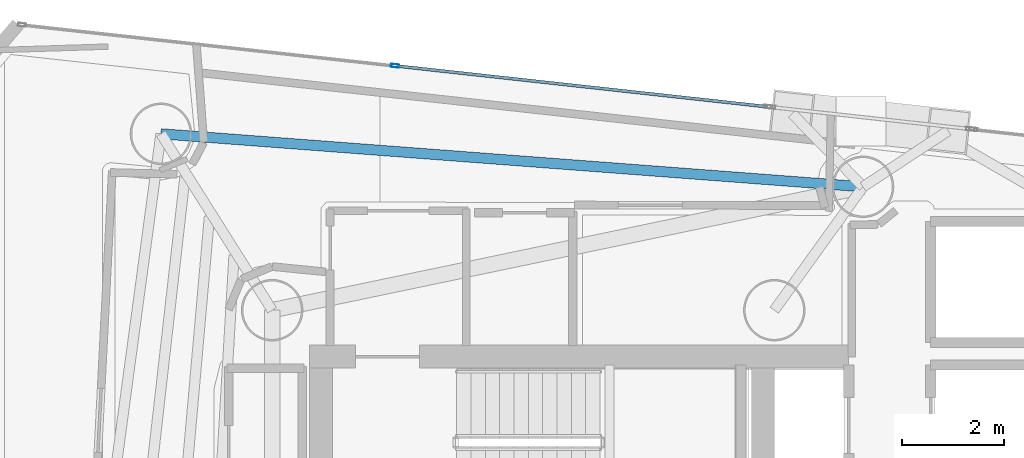
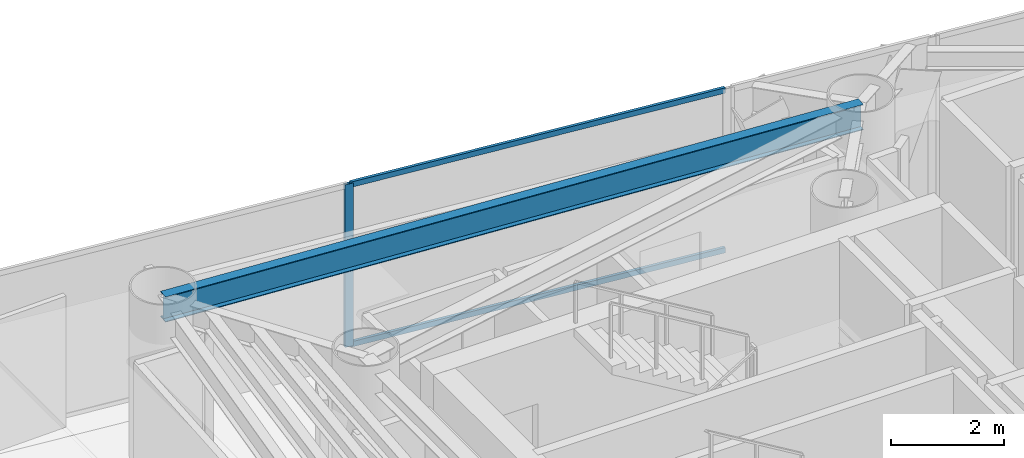
# One storey, part 12 of 24: 3 members, 1 beam, 1 element without a shape of its own.
"""IFC4 building model written with IfcOpenShell, lengths in metres."""

from ifc_helpers import new_model, si_unit, direction, frame, origin, origin_2d, place, context, subcontext, project, spatial, hollow_rectangle, i_section, extrude, material, layer, layer_set, material_profile, profile_set, type_object, element, aggregate, save


model = new_model("IFC4")

# Units and contexts
model_context = context("Model", 3, precision=1e-05, world=origin(), true_north=direction((0.0, 1.0)))
body_context = subcontext(model_context, "Body", "Model", "MODEL_VIEW")
ifc_project = project(units=[si_unit("LENGTHUNIT", "METRE"), si_unit("AREAUNIT", "SQUARE_METRE"), si_unit("VOLUMEUNIT", "CUBIC_METRE"), si_unit("PLANEANGLEUNIT", "RADIAN"), si_unit("MASSUNIT", "GRAM", prefix="KILO")], contexts=[model_context])

# Site, building, storey
site_placement = place(None, origin())
site = spatial("IfcSite", under=ifc_project, at=site_placement, CompositionType="ELEMENT")
building_placement = place(site_placement, origin())
building = spatial("IfcBuilding", under=site, at=building_placement, Name="Qianvela Tower", CompositionType="ELEMENT")
storey_placement = place(building_placement, frame((0.0, 0.0, 222.5)))
storey = spatial("IfcBuildingStorey", under=building, at=storey_placement, Name="L57", CompositionType="ELEMENT", Elevation=222.5)

# Beam
ifc_material_1 = material(Name="Steel Q355B", Category="steel")
ifc_material_profile_1 = material_profile(ifc_material_1, i_section(OverallWidth=0.199951171875, OverallDepth=0.550048828125, WebThickness=0.010009765625, FlangeThickness=0.01611328125, at=origin_2d()), Name="HN550x200x10x16")
ifc_profile_set_1 = profile_set([ifc_material_profile_1], Name="Steel Q355B")
beam_type = type_object("IfcBeamType", Name="BM-HN550-GIRD", PredefinedType="BEAM", material=ifc_profile_set_1)
beam_placement = place(storey_placement, frame((40.131103515625, 35.9580078125, 3.242919921875), z_axis=(-0.997164346928, 0.075254669065, 0.0), x_axis=(-0.075254669065, -0.997164346928, 0.0)))
element("IfcBeam", 1, at=beam_placement, inside=storey, type_object=beam_type, Name="L57 Perimeter Ring Spandrel Girder 2", PredefinedType="BEAM", context=body_context, shape_type="SweptSolid", body=[
    extrude(i_section(OverallWidth=0.199951171875, OverallDepth=0.550048828125, WebThickness=0.010009765625, FlangeThickness=0.01611328125, at=origin_2d()), origin(), (0.0, 0.0, 1.0), 13.7392578125),
])

# Curtain wall, members
ifc_material_2 = material(Name="Anodised Architectural Aluminium and Low-E Glass", Category="aluminium")
ifc_layer = layer(ifc_material_2, 0.159912109375)
ifc_layer_set = layer_set([ifc_layer], Name="Anodised Architectural Aluminium and Low-E Glass")
curtain_wall_type = type_object("IfcCurtainWallType", Name="CW-COLIV-Z56", PredefinedType="USERDEFINED", material=ifc_layer_set)
curtain_wall_placement = place(storey_placement, origin())
curtain_wall = element("IfcCurtainWall", 2, at=curtain_wall_placement, inside=storey, type_object=curtain_wall_type, Name="L57 CW-COLIV-Z56 Curtain Wall 02C", ObjectType="CURTAIN_WALL_SYSTEM", PredefinedType="USERDEFINED")
ifc_material_3 = material(Name="Anodised Architectural Aluminium 6063-T6", Category="aluminium")
ifc_material_profile_2 = material_profile(ifc_material_3, hollow_rectangle(XDim=0.06494140625, YDim=0.159912109375, WallThickness=0.0048828125, at=origin_2d()), Name="ALU-MULL-65x160")
ifc_profile_set_2 = profile_set([ifc_material_profile_2], Name="Anodised Architectural Aluminium 6063-T6")
member_type_1 = type_object("IfcMemberType", Name="CW-COLIV-Z56-MULL", PredefinedType="MULLION", material=ifc_profile_set_2)
member_1_placement = place(storey_placement, frame((30.997314453125, 38.3193359375, 0.0), z_axis=(0.0, 0.0, 1.0), x_axis=(-0.109262153523, -0.994012968631, 0.0)))
member_1 = element("IfcMember", 3, at=member_1_placement, type_object=member_type_1, Name="CW-5 mullion 2", PredefinedType="MULLION", context=body_context, shape_type="SweptSolid", body=[
    extrude(hollow_rectangle(XDim=0.06494140625, YDim=0.159912109375, WallThickness=0.0048828125, at=origin_2d()), origin(), (0.0, 0.0, 1.0), 3.52001953125),
])
ifc_material_4 = material(Name="Anodised Architectural Aluminium 6063-T6", Category="aluminium")
ifc_material_profile_3 = material_profile(ifc_material_4, hollow_rectangle(XDim=0.06005859375, YDim=0.114990234375, WallThickness=0.00390625, at=origin_2d()), Name="ALU-TRAN-60x115")
ifc_profile_set_3 = profile_set([ifc_material_profile_3], Name="Anodised Architectural Aluminium 6063-T6")
member_type_2 = type_object("IfcMemberType", Name="CW-COLIV-Z56-TRAN", PredefinedType="USERDEFINED", material=ifc_profile_set_3)
member_2_placement = place(storey_placement, frame((38.242919921875, 37.52294921875, 0.030029296875), z_axis=(-0.994011885907, 0.109272003162, 0.0), x_axis=(-0.109272003162, -0.994011885907, 0.0)))
member_2 = element("IfcMember", 4, at=member_2_placement, type_object=member_type_2, Name="CW-5 transom 1.1", ObjectType="TRANSOM", PredefinedType="USERDEFINED", context=body_context, shape_type="SweptSolid", body=[
    extrude(hollow_rectangle(XDim=0.06005859375, YDim=0.114990234375, WallThickness=0.00390625, at=origin_2d()), origin(), (0.0, 0.0, 1.0), 7.2568359375),
])
member_3_placement = place(storey_placement, frame((38.242919921875, 37.52294921875, 3.489990234375), z_axis=(-0.994011885907, 0.109272003162, 0.0), x_axis=(-0.109272003162, -0.994011885907, 0.0)))
member_3 = element("IfcMember", 5, at=member_3_placement, type_object=member_type_2, Name="CW-5 transom 1.2", ObjectType="TRANSOM", PredefinedType="USERDEFINED", context=body_context, shape_type="SweptSolid", body=[
    extrude(hollow_rectangle(XDim=0.06005859375, YDim=0.114990234375, WallThickness=0.00390625, at=origin_2d()), origin(), (0.0, 0.0, 1.0), 7.2568359375),
])
aggregate(curtain_wall, [member_1, member_2, member_3])

save(model, "model.ifc")
